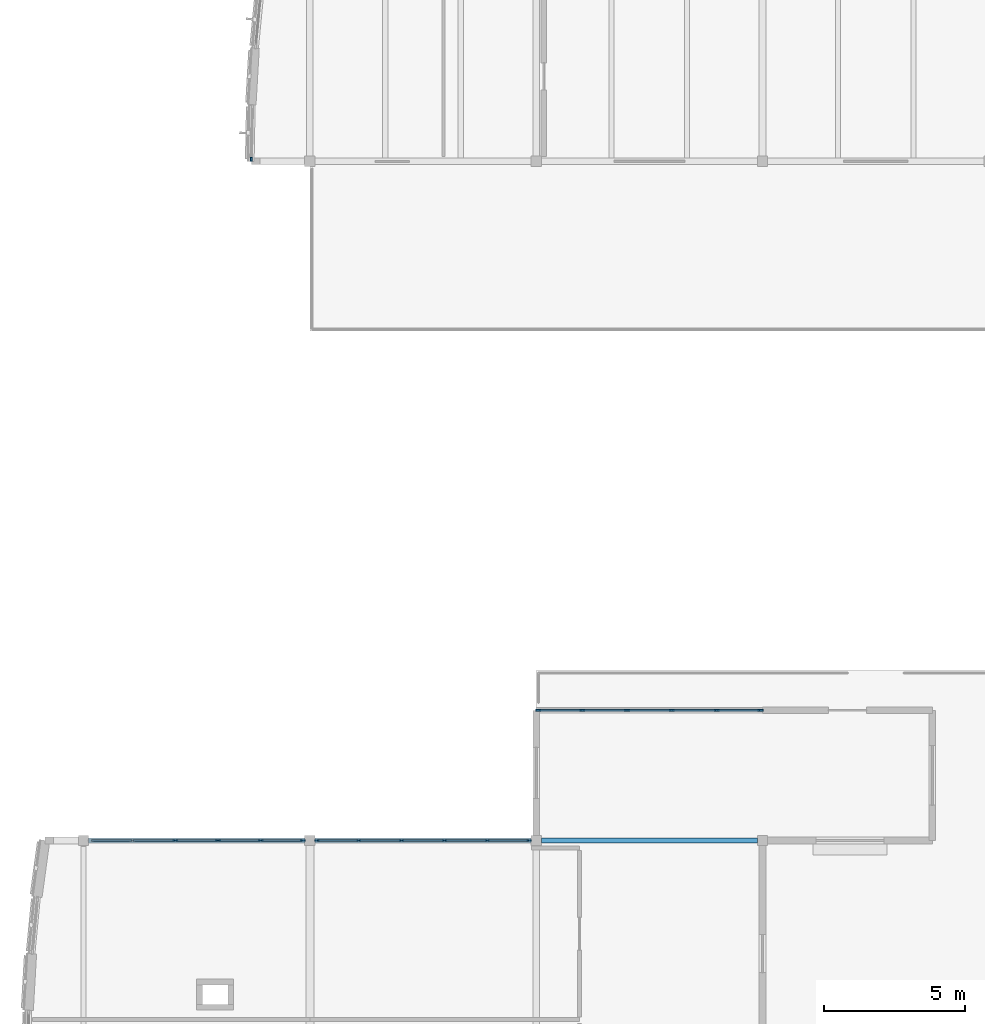
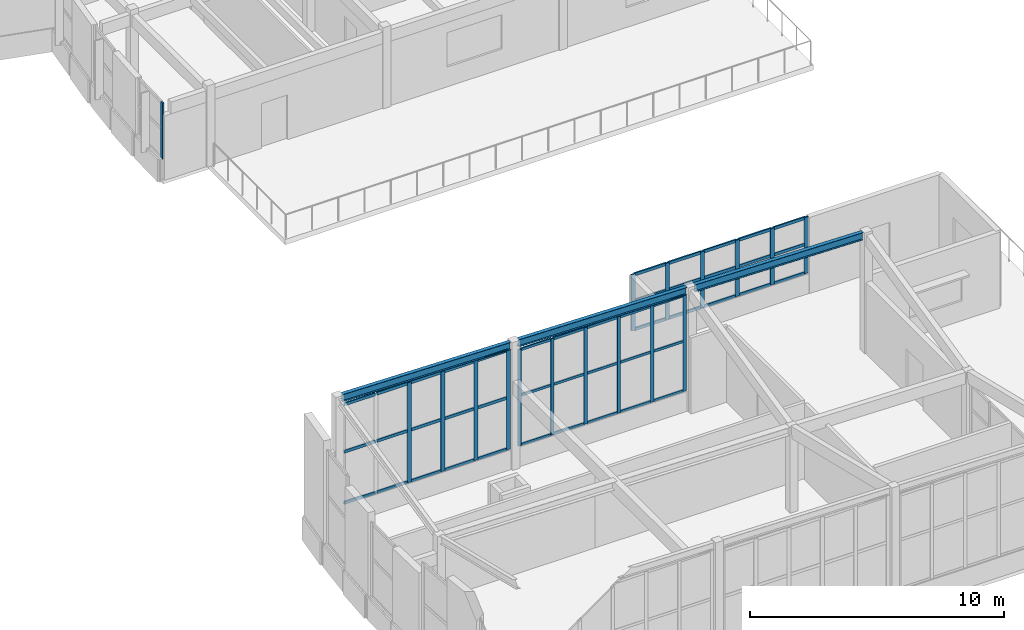
# One storey, part 5 of 63: 62 members, 3 beams, 4 elements without a shape of their own.
"""IFC4 building model written with IfcOpenShell, lengths in metres."""

from ifc_helpers import new_model, si_unit, direction, frame, origin, origin_2d, place, context, subcontext, project, spatial, rectangle, i_section, extrude, material, layer, layer_set, material_profile, profile_set, type_object, element, aggregate, save


model = new_model("IFC4")

# Units and contexts
model_context = context("Model", 3, precision=1e-05, world=origin(), true_north=direction((0.0, 1.0)))
body_context = subcontext(model_context, "Body", "Model", "MODEL_VIEW")
ifc_project = project(units=[si_unit("LENGTHUNIT", "METRE"), si_unit("AREAUNIT", "SQUARE_METRE"), si_unit("VOLUMEUNIT", "CUBIC_METRE"), si_unit("PLANEANGLEUNIT", "RADIAN"), si_unit("MASSUNIT", "GRAM", prefix="KILO")], contexts=[model_context])

# Site, building, storey
site_placement = place(None, origin())
site = spatial("IfcSite", under=ifc_project, at=site_placement, CompositionType="ELEMENT")
building_placement = place(site_placement, origin())
building = spatial("IfcBuilding", under=site, at=building_placement, Name="Tonlespit Floodbar School", CompositionType="ELEMENT")
storey_placement = place(building_placement, frame((0.0, 0.0, 8.39990234375)))
storey = spatial("IfcBuildingStorey", under=building, at=storey_placement, Name="L02", CompositionType="ELEMENT", Elevation=8.39990234375)

# Curtain wall, member
ifc_material_1 = material(Name="Anodised Aluminium", Category="aluminium")
ifc_layer_1 = layer(ifc_material_1, 0.159912109375)
ifc_layer_set_1 = layer_set([ifc_layer_1], Name="Anodised Aluminium")
curtain_wall_type_1 = type_object("IfcCurtainWallType", Name="CurtainWall_1900x2700", PredefinedType="NOTDEFINED", material=ifc_layer_set_1)
curtain_wall_1_placement = place(storey_placement, origin())
curtain_wall_1 = element("IfcCurtainWall", 1, at=curtain_wall_1_placement, inside=storey, type_object=curtain_wall_type_1, Name="L02 unitised curtain wall 0284", PredefinedType="NOTDEFINED")
ifc_material_profile_1 = material_profile(ifc_material_1, rectangle(XDim=0.06494140625, YDim=0.14990234375, at=origin_2d()), Name="ALU M65x150")
ifc_profile_set_1 = profile_set([ifc_material_profile_1], Name="Anodised Aluminium")
member_type_1 = type_object("IfcMemberType", Name="CW_Mullion_65x150", PredefinedType="MULLION", material=ifc_profile_set_1)
member_1_placement = place(storey_placement, frame((9.932373046875, 44.072509765625, 0.9501953125), z_axis=(0.0, 0.0, 1.0), x_axis=(-0.999815370969, 0.019215201653, 0.0)))
member_1 = element("IfcMember", 2, at=member_1_placement, type_object=member_type_1, Name="CW-05 mullion 1", PredefinedType="MULLION", context=body_context, shape_type="SweptSolid", body=[
    extrude(rectangle(XDim=0.06494140625, YDim=0.14990234375, at=origin_2d()), origin(), (0.0, 0.0, 1.0), 2.699951171875),
])
aggregate(curtain_wall_1, [member_1])

# Curtain wall, members
ifc_layer_2 = layer(ifc_material_1, 0.159912109375)
ifc_layer_set_2 = layer_set([ifc_layer_2], Name="Anodised Aluminium")
curtain_wall_type_2 = type_object("IfcCurtainWallType", Name="CurtainWall_7550x4650", PredefinedType="NOTDEFINED", material=ifc_layer_set_2)
curtain_wall_2_placement = place(storey_placement, origin())
curtain_wall_2 = element("IfcCurtainWall", 3, at=curtain_wall_2_placement, inside=storey, type_object=curtain_wall_type_2, Name="L02 unitised curtain wall 0536", PredefinedType="NOTDEFINED")
member_2_placement = place(storey_placement, frame((12.25244140625, 20.0, 0.9501953125), z_axis=(0.0, 0.0, 1.0), x_axis=(0.0, 1.0, 0.0)))
member_2 = element("IfcMember", 4, at=member_2_placement, type_object=member_type_1, Name="CW-92 mullion 1", PredefinedType="MULLION", context=body_context, shape_type="SweptSolid", body=[
    extrude(rectangle(XDim=0.06494140625, YDim=0.14990234375, at=origin_2d()), origin(), (0.0, 0.0, 1.0), 4.626708984375),
])
member_3_placement = place(storey_placement, frame((13.73193359375, 20.0, 0.9501953125), z_axis=(0.0, 0.0, 1.0), x_axis=(0.0, 1.0, 0.0)))
member_3 = element("IfcMember", 5, at=member_3_placement, type_object=member_type_1, Name="CW-92 mullion 2", PredefinedType="MULLION", context=body_context, shape_type="SweptSolid", body=[
    extrude(rectangle(XDim=0.06494140625, YDim=0.14990234375, at=origin_2d()), origin(), (0.0, 0.0, 1.0), 4.626708984375),
])
member_4_placement = place(storey_placement, frame((15.243896484375, 20.0, 0.9501953125), z_axis=(0.0, 0.0, 1.0), x_axis=(0.0, 1.0, 0.0)))
member_4 = element("IfcMember", 6, at=member_4_placement, type_object=member_type_1, Name="CW-92 mullion 3", PredefinedType="MULLION", context=body_context, shape_type="SweptSolid", body=[
    extrude(rectangle(XDim=0.06494140625, YDim=0.14990234375, at=origin_2d()), origin(), (0.0, 0.0, 1.0), 4.626708984375),
])
member_5_placement = place(storey_placement, frame((16.756103515625, 20.0, 0.9501953125), z_axis=(0.0, 0.0, 1.0), x_axis=(0.0, 1.0, 0.0)))
member_5 = element("IfcMember", 7, at=member_5_placement, type_object=member_type_1, Name="CW-92 mullion 4", PredefinedType="MULLION", context=body_context, shape_type="SweptSolid", body=[
    extrude(rectangle(XDim=0.06494140625, YDim=0.14990234375, at=origin_2d()), origin(), (0.0, 0.0, 1.0), 4.626708984375),
])
member_6_placement = place(storey_placement, frame((18.26806640625, 20.0, 0.9501953125), z_axis=(0.0, 0.0, 1.0), x_axis=(0.0, 1.0, 0.0)))
member_6 = element("IfcMember", 8, at=member_6_placement, type_object=member_type_1, Name="CW-92 mullion 5", PredefinedType="MULLION", context=body_context, shape_type="SweptSolid", body=[
    extrude(rectangle(XDim=0.06494140625, YDim=0.14990234375, at=origin_2d()), origin(), (0.0, 0.0, 1.0), 4.626708984375),
])
member_7_placement = place(storey_placement, frame((19.74755859375, 20.0, 0.9501953125), z_axis=(0.0, 0.0, 1.0), x_axis=(0.0, 1.0, 0.0)))
member_7 = element("IfcMember", 9, at=member_7_placement, type_object=member_type_1, Name="CW-92 mullion 6", PredefinedType="MULLION", context=body_context, shape_type="SweptSolid", body=[
    extrude(rectangle(XDim=0.06494140625, YDim=0.14990234375, at=origin_2d()), origin(), (0.0, 0.0, 1.0), 4.626708984375),
])

ifc_layer_3 = layer(ifc_material_1, 0.159912109375)
ifc_layer_set_3 = layer_set([ifc_layer_3], Name="Anodised Aluminium")
curtain_wall_type_3 = type_object("IfcCurtainWallType", Name="CurtainWall_7550x4800", PredefinedType="NOTDEFINED", material=ifc_layer_set_3)
curtain_wall_3_placement = place(storey_placement, origin())
curtain_wall_3 = element("IfcCurtainWall", 10, at=curtain_wall_3_placement, inside=storey, type_object=curtain_wall_type_3, Name="L02 unitised curtain wall 0535", PredefinedType="NOTDEFINED")
ifc_material_profile_2 = material_profile(ifc_material_1, rectangle(XDim=0.06494140625, YDim=0.179931640625, at=origin_2d()), Name="ALU M65x180")
ifc_profile_set_2 = profile_set([ifc_material_profile_2], Name="Anodised Aluminium")
member_type_2 = type_object("IfcMemberType", Name="CW_Mullion_65x180", PredefinedType="MULLION", material=ifc_profile_set_2)
member_8_placement = place(storey_placement, frame((7.243896484375, 20.0, 0.9501953125), z_axis=(0.0, 0.0, 1.0), x_axis=(0.0, 1.0, 0.0)))
member_8 = element("IfcMember", 11, at=member_8_placement, type_object=member_type_2, Name="CW-91 mullion 3", PredefinedType="MULLION", context=body_context, shape_type="SweptSolid", body=[
    extrude(rectangle(XDim=0.06494140625, YDim=0.179931640625, at=origin_2d()), origin(), (0.0, 0.0, 1.0), 4.7939453125),
])
member_9_placement = place(storey_placement, frame((8.756103515625, 20.0, 0.9501953125), z_axis=(0.0, 0.0, 1.0), x_axis=(0.0, 1.0, 0.0)))
member_9 = element("IfcMember", 12, at=member_9_placement, type_object=member_type_2, Name="CW-91 mullion 4", PredefinedType="MULLION", context=body_context, shape_type="SweptSolid", body=[
    extrude(rectangle(XDim=0.06494140625, YDim=0.179931640625, at=origin_2d()), origin(), (0.0, 0.0, 1.0), 4.7939453125),
])
member_10_placement = place(storey_placement, frame((10.26806640625, 20.0, 0.9501953125), z_axis=(0.0, 0.0, 1.0), x_axis=(0.0, 1.0, 0.0)))
member_10 = element("IfcMember", 13, at=member_10_placement, type_object=member_type_2, Name="CW-91 mullion 5", PredefinedType="MULLION", context=body_context, shape_type="SweptSolid", body=[
    extrude(rectangle(XDim=0.06494140625, YDim=0.179931640625, at=origin_2d()), origin(), (0.0, 0.0, 1.0), 4.7939453125),
])
member_11_placement = place(storey_placement, frame((11.74755859375, 20.0, 0.9501953125), z_axis=(0.0, 0.0, 1.0), x_axis=(0.0, 1.0, 0.0)))
member_11 = element("IfcMember", 14, at=member_11_placement, type_object=member_type_2, Name="CW-91 mullion 6", PredefinedType="MULLION", context=body_context, shape_type="SweptSolid", body=[
    extrude(rectangle(XDim=0.06494140625, YDim=0.179931640625, at=origin_2d()), origin(), (0.0, 0.0, 1.0), 4.7939453125),
])

ifc_layer_4 = layer(ifc_material_1, 0.159912109375)
ifc_layer_set_4 = layer_set([ifc_layer_4], Name="Anodised Aluminium")
curtain_wall_type_4 = type_object("IfcCurtainWallType", Name="CurtainWall_7900x2700", PredefinedType="NOTDEFINED", material=ifc_layer_set_4)
curtain_wall_4_placement = place(storey_placement, origin())
curtain_wall_4 = element("IfcCurtainWall", 15, at=curtain_wall_4_placement, inside=storey, type_object=curtain_wall_type_4, Name="L02 unitised curtain wall 0537", PredefinedType="NOTDEFINED")
member_12_placement = place(storey_placement, frame((20.072509765625, 24.60009765625, 0.9501953125), z_axis=(0.0, 0.0, 1.0), x_axis=(0.0, 1.0, 0.0)))
member_12 = element("IfcMember", 16, at=member_12_placement, type_object=member_type_2, Name="CW-35 mullion 1", PredefinedType="MULLION", context=body_context, shape_type="SweptSolid", body=[
    extrude(rectangle(XDim=0.06494140625, YDim=0.179931640625, at=origin_2d()), origin(), (0.0, 0.0, 1.0), 2.699951171875),
])
member_13_placement = place(storey_placement, frame((21.6240234375, 24.60009765625, 0.9501953125), z_axis=(0.0, 0.0, 1.0), x_axis=(0.0, 1.0, 0.0)))
member_13 = element("IfcMember", 17, at=member_13_placement, type_object=member_type_2, Name="CW-35 mullion 2", PredefinedType="MULLION", context=body_context, shape_type="SweptSolid", body=[
    extrude(rectangle(XDim=0.06494140625, YDim=0.179931640625, at=origin_2d()), origin(), (0.0, 0.0, 1.0), 2.699951171875),
])
member_14_placement = place(storey_placement, frame((23.2080078125, 24.60009765625, 0.9501953125), z_axis=(0.0, 0.0, 1.0), x_axis=(0.0, 1.0, 0.0)))
member_14 = element("IfcMember", 18, at=member_14_placement, type_object=member_type_2, Name="CW-35 mullion 3", PredefinedType="MULLION", context=body_context, shape_type="SweptSolid", body=[
    extrude(rectangle(XDim=0.06494140625, YDim=0.179931640625, at=origin_2d()), origin(), (0.0, 0.0, 1.0), 2.699951171875),
])
member_15_placement = place(storey_placement, frame((24.7919921875, 24.60009765625, 0.9501953125), z_axis=(0.0, 0.0, 1.0), x_axis=(0.0, 1.0, 0.0)))
member_15 = element("IfcMember", 19, at=member_15_placement, type_object=member_type_2, Name="CW-35 mullion 4", PredefinedType="MULLION", context=body_context, shape_type="SweptSolid", body=[
    extrude(rectangle(XDim=0.06494140625, YDim=0.179931640625, at=origin_2d()), origin(), (0.0, 0.0, 1.0), 2.699951171875),
])
member_16_placement = place(storey_placement, frame((26.3759765625, 24.60009765625, 0.9501953125), z_axis=(0.0, 0.0, 1.0), x_axis=(0.0, 1.0, 0.0)))
member_16 = element("IfcMember", 20, at=member_16_placement, type_object=member_type_2, Name="CW-35 mullion 5", PredefinedType="MULLION", context=body_context, shape_type="SweptSolid", body=[
    extrude(rectangle(XDim=0.06494140625, YDim=0.179931640625, at=origin_2d()), origin(), (0.0, 0.0, 1.0), 2.699951171875),
])
member_17_placement = place(storey_placement, frame((27.927490234375, 24.60009765625, 0.9501953125), z_axis=(0.0, 0.0, 1.0), x_axis=(0.0, 1.0, 0.0)))
member_17 = element("IfcMember", 21, at=member_17_placement, type_object=member_type_2, Name="CW-35 mullion 6", PredefinedType="MULLION", context=body_context, shape_type="SweptSolid", body=[
    extrude(rectangle(XDim=0.06494140625, YDim=0.179931640625, at=origin_2d()), origin(), (0.0, 0.0, 1.0), 2.699951171875),
])

# Member
ifc_material_profile_3 = material_profile(ifc_material_1, rectangle(XDim=0.06494140625, YDim=0.1201171875, at=origin_2d()), Name="ALU T65x120")
ifc_profile_set_3 = profile_set([ifc_material_profile_3], Name="Anodised Aluminium")
member_type_3 = type_object("IfcMemberType", Name="CW_Transom_65x120", PredefinedType="USERDEFINED", material=ifc_profile_set_3)
member_18_placement = place(storey_placement, frame((12.284912109375, 20.0, 0.982666015625), z_axis=(1.0, 0.0, 0.0), x_axis=(0.0, 1.0, 0.0)))
member_18 = element("IfcMember", 22, at=member_18_placement, type_object=member_type_3, Name="CW-92 transom 1.1", ObjectType="TRANSOM", PredefinedType="USERDEFINED", context=body_context, shape_type="SweptSolid", body=[
    extrude(rectangle(XDim=0.06494140625, YDim=0.1201171875, at=origin_2d()), origin(), (0.0, 0.0, 1.0), 1.41455078125),
])

member_19_placement = place(storey_placement, frame((12.284912109375, 20.0, 3.35595703125), z_axis=(1.0, 0.0, 0.0), x_axis=(0.0, 1.0, 0.0)))
member_19 = element("IfcMember", 23, at=member_19_placement, type_object=member_type_3, Name="CW-92 transom 1.2", ObjectType="TRANSOM", PredefinedType="USERDEFINED", context=body_context, shape_type="SweptSolid", body=[
    extrude(rectangle(XDim=0.06494140625, YDim=0.1201171875, at=origin_2d()), origin(), (0.0, 0.0, 1.0), 1.41455078125),
])

member_20_placement = place(storey_placement, frame((12.284912109375, 20.0, 5.54443359375), z_axis=(1.0, 0.0, 0.0), x_axis=(0.0, 1.0, 0.0)))
member_20 = element("IfcMember", 24, at=member_20_placement, type_object=member_type_3, Name="CW-92 transom 1.3", ObjectType="TRANSOM", PredefinedType="USERDEFINED", context=body_context, shape_type="SweptSolid", body=[
    extrude(rectangle(XDim=0.06494140625, YDim=0.1201171875, at=origin_2d()), origin(), (0.0, 0.0, 1.0), 1.41455078125),
])

member_21_placement = place(storey_placement, frame((13.764404296875, 20.0, 0.982666015625), z_axis=(1.0, 0.0, 0.0), x_axis=(0.0, 1.0, 0.0)))
member_21 = element("IfcMember", 25, at=member_21_placement, type_object=member_type_3, Name="CW-92 transom 2.1", ObjectType="TRANSOM", PredefinedType="USERDEFINED", context=body_context, shape_type="SweptSolid", body=[
    extrude(rectangle(XDim=0.06494140625, YDim=0.1201171875, at=origin_2d()), origin(), (0.0, 0.0, 1.0), 1.447021484375),
])

member_22_placement = place(storey_placement, frame((13.764404296875, 20.0, 3.35595703125), z_axis=(1.0, 0.0, 0.0), x_axis=(0.0, 1.0, 0.0)))
member_22 = element("IfcMember", 26, at=member_22_placement, type_object=member_type_3, Name="CW-92 transom 2.2", ObjectType="TRANSOM", PredefinedType="USERDEFINED", context=body_context, shape_type="SweptSolid", body=[
    extrude(rectangle(XDim=0.06494140625, YDim=0.1201171875, at=origin_2d()), origin(), (0.0, 0.0, 1.0), 1.447021484375),
])

member_23_placement = place(storey_placement, frame((13.764404296875, 20.0, 5.54443359375), z_axis=(1.0, 0.0, 0.0), x_axis=(0.0, 1.0, 0.0)))
member_23 = element("IfcMember", 27, at=member_23_placement, type_object=member_type_3, Name="CW-92 transom 2.3", ObjectType="TRANSOM", PredefinedType="USERDEFINED", context=body_context, shape_type="SweptSolid", body=[
    extrude(rectangle(XDim=0.06494140625, YDim=0.1201171875, at=origin_2d()), origin(), (0.0, 0.0, 1.0), 1.447021484375),
])

member_24_placement = place(storey_placement, frame((15.276611328125, 20.0, 0.982666015625), z_axis=(1.0, 0.0, 0.0), x_axis=(0.0, 1.0, 0.0)))
member_24 = element("IfcMember", 28, at=member_24_placement, type_object=member_type_3, Name="CW-92 transom 3.1", ObjectType="TRANSOM", PredefinedType="USERDEFINED", context=body_context, shape_type="SweptSolid", body=[
    extrude(rectangle(XDim=0.06494140625, YDim=0.1201171875, at=origin_2d()), origin(), (0.0, 0.0, 1.0), 1.44677734375),
])

member_25_placement = place(storey_placement, frame((15.276611328125, 20.0, 3.35595703125), z_axis=(1.0, 0.0, 0.0), x_axis=(0.0, 1.0, 0.0)))
member_25 = element("IfcMember", 29, at=member_25_placement, type_object=member_type_3, Name="CW-92 transom 3.2", ObjectType="TRANSOM", PredefinedType="USERDEFINED", context=body_context, shape_type="SweptSolid", body=[
    extrude(rectangle(XDim=0.06494140625, YDim=0.1201171875, at=origin_2d()), origin(), (0.0, 0.0, 1.0), 1.44677734375),
])

member_26_placement = place(storey_placement, frame((15.276611328125, 20.0, 5.54443359375), z_axis=(1.0, 0.0, 0.0), x_axis=(0.0, 1.0, 0.0)))
member_26 = element("IfcMember", 30, at=member_26_placement, type_object=member_type_3, Name="CW-92 transom 3.3", ObjectType="TRANSOM", PredefinedType="USERDEFINED", context=body_context, shape_type="SweptSolid", body=[
    extrude(rectangle(XDim=0.06494140625, YDim=0.1201171875, at=origin_2d()), origin(), (0.0, 0.0, 1.0), 1.44677734375),
])

member_27_placement = place(storey_placement, frame((16.78857421875, 20.0, 0.982666015625), z_axis=(1.0, 0.0, 0.0), x_axis=(0.0, 1.0, 0.0)))
member_27 = element("IfcMember", 31, at=member_27_placement, type_object=member_type_3, Name="CW-92 transom 4.1", ObjectType="TRANSOM", PredefinedType="USERDEFINED", context=body_context, shape_type="SweptSolid", body=[
    extrude(rectangle(XDim=0.06494140625, YDim=0.1201171875, at=origin_2d()), origin(), (0.0, 0.0, 1.0), 1.447021484375),
])

member_28_placement = place(storey_placement, frame((16.78857421875, 20.0, 3.35595703125), z_axis=(1.0, 0.0, 0.0), x_axis=(0.0, 1.0, 0.0)))
member_28 = element("IfcMember", 32, at=member_28_placement, type_object=member_type_3, Name="CW-92 transom 4.2", ObjectType="TRANSOM", PredefinedType="USERDEFINED", context=body_context, shape_type="SweptSolid", body=[
    extrude(rectangle(XDim=0.06494140625, YDim=0.1201171875, at=origin_2d()), origin(), (0.0, 0.0, 1.0), 1.447021484375),
])

member_29_placement = place(storey_placement, frame((16.78857421875, 20.0, 5.54443359375), z_axis=(1.0, 0.0, 0.0), x_axis=(0.0, 1.0, 0.0)))
member_29 = element("IfcMember", 33, at=member_29_placement, type_object=member_type_3, Name="CW-92 transom 4.3", ObjectType="TRANSOM", PredefinedType="USERDEFINED", context=body_context, shape_type="SweptSolid", body=[
    extrude(rectangle(XDim=0.06494140625, YDim=0.1201171875, at=origin_2d()), origin(), (0.0, 0.0, 1.0), 1.447021484375),
])

member_30_placement = place(storey_placement, frame((18.300537109375, 20.0, 0.982666015625), z_axis=(1.0, 0.0, 0.0), x_axis=(0.0, 1.0, 0.0)))
member_30 = element("IfcMember", 34, at=member_30_placement, type_object=member_type_3, Name="CW-92 transom 5.1", ObjectType="TRANSOM", PredefinedType="USERDEFINED", context=body_context, shape_type="SweptSolid", body=[
    extrude(rectangle(XDim=0.06494140625, YDim=0.1201171875, at=origin_2d()), origin(), (0.0, 0.0, 1.0), 1.41455078125),
])

member_31_placement = place(storey_placement, frame((18.300537109375, 20.0, 3.35595703125), z_axis=(1.0, 0.0, 0.0), x_axis=(0.0, 1.0, 0.0)))
member_31 = element("IfcMember", 35, at=member_31_placement, type_object=member_type_3, Name="CW-92 transom 5.2", ObjectType="TRANSOM", PredefinedType="USERDEFINED", context=body_context, shape_type="SweptSolid", body=[
    extrude(rectangle(XDim=0.06494140625, YDim=0.1201171875, at=origin_2d()), origin(), (0.0, 0.0, 1.0), 1.41455078125),
])

member_32_placement = place(storey_placement, frame((18.300537109375, 20.0, 5.54443359375), z_axis=(1.0, 0.0, 0.0), x_axis=(0.0, 1.0, 0.0)))
member_32 = element("IfcMember", 36, at=member_32_placement, type_object=member_type_3, Name="CW-92 transom 5.3", ObjectType="TRANSOM", PredefinedType="USERDEFINED", context=body_context, shape_type="SweptSolid", body=[
    extrude(rectangle(XDim=0.06494140625, YDim=0.1201171875, at=origin_2d()), origin(), (0.0, 0.0, 1.0), 1.41455078125),
])

aggregate(curtain_wall_2, [member_2, member_3, member_4, member_5, member_6, member_7, member_18, member_19, member_20, member_21, member_22, member_23, member_24, member_25, member_26, member_27, member_28, member_29, member_30, member_31, member_32])

ifc_material_profile_4 = material_profile(ifc_material_1, rectangle(XDim=0.06494140625, YDim=0.139892578125, at=origin_2d()), Name="ALU T65x140")
ifc_profile_set_4 = profile_set([ifc_material_profile_4], Name="Anodised Aluminium")
member_type_4 = type_object("IfcMemberType", Name="CW_Transom_65x140", PredefinedType="USERDEFINED", material=ifc_profile_set_4)
member_33_placement = place(storey_placement, frame((4.284912109375, 20.0, 0.982666015625), z_axis=(1.0, 0.0, 0.0), x_axis=(0.0, 1.0, 0.0)))
member_33 = element("IfcMember", 37, at=member_33_placement, type_object=member_type_4, Name="CW-91 transom 1.1", ObjectType="TRANSOM", PredefinedType="USERDEFINED", context=body_context, shape_type="SweptSolid", body=[
    extrude(rectangle(XDim=0.06494140625, YDim=0.139892578125, at=origin_2d()), origin(), (0.0, 0.0, 1.0), 1.41455078125),
])

member_34_placement = place(storey_placement, frame((4.284912109375, 20.0, 3.443115234375), z_axis=(1.0, 0.0, 0.0), x_axis=(0.0, 1.0, 0.0)))
member_34 = element("IfcMember", 38, at=member_34_placement, type_object=member_type_4, Name="CW-91 transom 1.2", ObjectType="TRANSOM", PredefinedType="USERDEFINED", context=body_context, shape_type="SweptSolid", body=[
    extrude(rectangle(XDim=0.06494140625, YDim=0.139892578125, at=origin_2d()), origin(), (0.0, 0.0, 1.0), 1.41455078125),
])

member_35_placement = place(storey_placement, frame((4.284912109375, 20.0, 5.711669921875), z_axis=(1.0, 0.0, 0.0), x_axis=(0.0, 1.0, 0.0)))
member_35 = element("IfcMember", 39, at=member_35_placement, type_object=member_type_4, Name="CW-91 transom 1.3", ObjectType="TRANSOM", PredefinedType="USERDEFINED", context=body_context, shape_type="SweptSolid", body=[
    extrude(rectangle(XDim=0.06494140625, YDim=0.139892578125, at=origin_2d()), origin(), (0.0, 0.0, 1.0), 1.41455078125),
])

member_36_placement = place(storey_placement, frame((5.764404296875, 20.0, 0.982666015625), z_axis=(1.0, 0.0, 0.0), x_axis=(0.0, 1.0, 0.0)))
member_36 = element("IfcMember", 40, at=member_36_placement, type_object=member_type_4, Name="CW-91 transom 2.1", ObjectType="TRANSOM", PredefinedType="USERDEFINED", context=body_context, shape_type="SweptSolid", body=[
    extrude(rectangle(XDim=0.06494140625, YDim=0.139892578125, at=origin_2d()), origin(), (0.0, 0.0, 1.0), 1.447021484375),
])

member_37_placement = place(storey_placement, frame((5.764404296875, 20.0, 3.443115234375), z_axis=(1.0, 0.0, 0.0), x_axis=(0.0, 1.0, 0.0)))
member_37 = element("IfcMember", 41, at=member_37_placement, type_object=member_type_4, Name="CW-91 transom 2.2", ObjectType="TRANSOM", PredefinedType="USERDEFINED", context=body_context, shape_type="SweptSolid", body=[
    extrude(rectangle(XDim=0.06494140625, YDim=0.139892578125, at=origin_2d()), origin(), (0.0, 0.0, 1.0), 1.447021484375),
])

member_38_placement = place(storey_placement, frame((5.764404296875, 20.0, 5.711669921875), z_axis=(1.0, 0.0, 0.0), x_axis=(0.0, 1.0, 0.0)))
member_38 = element("IfcMember", 42, at=member_38_placement, type_object=member_type_4, Name="CW-91 transom 2.3", ObjectType="TRANSOM", PredefinedType="USERDEFINED", context=body_context, shape_type="SweptSolid", body=[
    extrude(rectangle(XDim=0.06494140625, YDim=0.139892578125, at=origin_2d()), origin(), (0.0, 0.0, 1.0), 1.447021484375),
])

member_39_placement = place(storey_placement, frame((7.276611328125, 20.0, 0.982666015625), z_axis=(1.0, 0.0, 0.0), x_axis=(0.0, 1.0, 0.0)))
member_39 = element("IfcMember", 43, at=member_39_placement, type_object=member_type_4, Name="CW-91 transom 3.1", ObjectType="TRANSOM", PredefinedType="USERDEFINED", context=body_context, shape_type="SweptSolid", body=[
    extrude(rectangle(XDim=0.06494140625, YDim=0.139892578125, at=origin_2d()), origin(), (0.0, 0.0, 1.0), 1.44677734375),
])

member_40_placement = place(storey_placement, frame((7.276611328125, 20.0, 3.443115234375), z_axis=(1.0, 0.0, 0.0), x_axis=(0.0, 1.0, 0.0)))
member_40 = element("IfcMember", 44, at=member_40_placement, type_object=member_type_4, Name="CW-91 transom 3.2", ObjectType="TRANSOM", PredefinedType="USERDEFINED", context=body_context, shape_type="SweptSolid", body=[
    extrude(rectangle(XDim=0.06494140625, YDim=0.139892578125, at=origin_2d()), origin(), (0.0, 0.0, 1.0), 1.44677734375),
])

member_41_placement = place(storey_placement, frame((7.276611328125, 20.0, 5.711669921875), z_axis=(1.0, 0.0, 0.0), x_axis=(0.0, 1.0, 0.0)))
member_41 = element("IfcMember", 45, at=member_41_placement, type_object=member_type_4, Name="CW-91 transom 3.3", ObjectType="TRANSOM", PredefinedType="USERDEFINED", context=body_context, shape_type="SweptSolid", body=[
    extrude(rectangle(XDim=0.06494140625, YDim=0.139892578125, at=origin_2d()), origin(), (0.0, 0.0, 1.0), 1.44677734375),
])

member_42_placement = place(storey_placement, frame((8.78857421875, 20.0, 0.982666015625), z_axis=(1.0, 0.0, 0.0), x_axis=(0.0, 1.0, 0.0)))
member_42 = element("IfcMember", 46, at=member_42_placement, type_object=member_type_4, Name="CW-91 transom 4.1", ObjectType="TRANSOM", PredefinedType="USERDEFINED", context=body_context, shape_type="SweptSolid", body=[
    extrude(rectangle(XDim=0.06494140625, YDim=0.139892578125, at=origin_2d()), origin(), (0.0, 0.0, 1.0), 1.447021484375),
])

member_43_placement = place(storey_placement, frame((8.78857421875, 20.0, 3.443115234375), z_axis=(1.0, 0.0, 0.0), x_axis=(0.0, 1.0, 0.0)))
member_43 = element("IfcMember", 47, at=member_43_placement, type_object=member_type_4, Name="CW-91 transom 4.2", ObjectType="TRANSOM", PredefinedType="USERDEFINED", context=body_context, shape_type="SweptSolid", body=[
    extrude(rectangle(XDim=0.06494140625, YDim=0.139892578125, at=origin_2d()), origin(), (0.0, 0.0, 1.0), 1.447021484375),
])

member_44_placement = place(storey_placement, frame((8.78857421875, 20.0, 5.711669921875), z_axis=(1.0, 0.0, 0.0), x_axis=(0.0, 1.0, 0.0)))
member_44 = element("IfcMember", 48, at=member_44_placement, type_object=member_type_4, Name="CW-91 transom 4.3", ObjectType="TRANSOM", PredefinedType="USERDEFINED", context=body_context, shape_type="SweptSolid", body=[
    extrude(rectangle(XDim=0.06494140625, YDim=0.139892578125, at=origin_2d()), origin(), (0.0, 0.0, 1.0), 1.447021484375),
])

member_45_placement = place(storey_placement, frame((10.300537109375, 20.0, 0.982666015625), z_axis=(1.0, 0.0, 0.0), x_axis=(0.0, 1.0, 0.0)))
member_45 = element("IfcMember", 49, at=member_45_placement, type_object=member_type_4, Name="CW-91 transom 5.1", ObjectType="TRANSOM", PredefinedType="USERDEFINED", context=body_context, shape_type="SweptSolid", body=[
    extrude(rectangle(XDim=0.06494140625, YDim=0.139892578125, at=origin_2d()), origin(), (0.0, 0.0, 1.0), 1.41455078125),
])

member_46_placement = place(storey_placement, frame((10.300537109375, 20.0, 3.443115234375), z_axis=(1.0, 0.0, 0.0), x_axis=(0.0, 1.0, 0.0)))
member_46 = element("IfcMember", 50, at=member_46_placement, type_object=member_type_4, Name="CW-91 transom 5.2", ObjectType="TRANSOM", PredefinedType="USERDEFINED", context=body_context, shape_type="SweptSolid", body=[
    extrude(rectangle(XDim=0.06494140625, YDim=0.139892578125, at=origin_2d()), origin(), (0.0, 0.0, 1.0), 1.41455078125),
])

member_47_placement = place(storey_placement, frame((10.300537109375, 20.0, 5.711669921875), z_axis=(1.0, 0.0, 0.0), x_axis=(0.0, 1.0, 0.0)))
member_47 = element("IfcMember", 51, at=member_47_placement, type_object=member_type_4, Name="CW-91 transom 5.3", ObjectType="TRANSOM", PredefinedType="USERDEFINED", context=body_context, shape_type="SweptSolid", body=[
    extrude(rectangle(XDim=0.06494140625, YDim=0.139892578125, at=origin_2d()), origin(), (0.0, 0.0, 1.0), 1.41455078125),
])

aggregate(curtain_wall_3, [member_8, member_9, member_10, member_11, member_33, member_34, member_35, member_36, member_37, member_38, member_39, member_40, member_41, member_42, member_43, member_44, member_45, member_46, member_47])

member_48_placement = place(storey_placement, frame((20.10498046875, 24.60009765625, 0.982666015625), z_axis=(1.0, 0.0, 0.0), x_axis=(0.0, 1.0, 0.0)))
member_48 = element("IfcMember", 52, at=member_48_placement, type_object=member_type_4, Name="CW-35 transom 1.1", ObjectType="TRANSOM", PredefinedType="USERDEFINED", context=body_context, shape_type="SweptSolid", body=[
    extrude(rectangle(XDim=0.06494140625, YDim=0.139892578125, at=origin_2d()), origin(), (0.0, 0.0, 1.0), 1.486572265625),
])

member_49_placement = place(storey_placement, frame((20.10498046875, 24.60009765625, 2.35400390625), z_axis=(1.0, 0.0, 0.0), x_axis=(0.0, 1.0, 0.0)))
member_49 = element("IfcMember", 53, at=member_49_placement, type_object=member_type_4, Name="CW-35 transom 1.2", ObjectType="TRANSOM", PredefinedType="USERDEFINED", context=body_context, shape_type="SweptSolid", body=[
    extrude(rectangle(XDim=0.06494140625, YDim=0.139892578125, at=origin_2d()), origin(), (0.0, 0.0, 1.0), 1.486572265625),
])

member_50_placement = place(storey_placement, frame((20.10498046875, 24.60009765625, 3.61767578125), z_axis=(1.0, 0.0, 0.0), x_axis=(0.0, 1.0, 0.0)))
member_50 = element("IfcMember", 54, at=member_50_placement, type_object=member_type_4, Name="CW-35 transom 1.3", ObjectType="TRANSOM", PredefinedType="USERDEFINED", context=body_context, shape_type="SweptSolid", body=[
    extrude(rectangle(XDim=0.06494140625, YDim=0.139892578125, at=origin_2d()), origin(), (0.0, 0.0, 1.0), 1.486572265625),
])

member_51_placement = place(storey_placement, frame((21.656494140625, 24.60009765625, 0.982666015625), z_axis=(1.0, 0.0, 0.0), x_axis=(0.0, 1.0, 0.0)))
member_51 = element("IfcMember", 55, at=member_51_placement, type_object=member_type_4, Name="CW-35 transom 2.1", ObjectType="TRANSOM", PredefinedType="USERDEFINED", context=body_context, shape_type="SweptSolid", body=[
    extrude(rectangle(XDim=0.06494140625, YDim=0.139892578125, at=origin_2d()), origin(), (0.0, 0.0, 1.0), 1.51904296875),
])

member_52_placement = place(storey_placement, frame((21.656494140625, 24.60009765625, 2.35400390625), z_axis=(1.0, 0.0, 0.0), x_axis=(0.0, 1.0, 0.0)))
member_52 = element("IfcMember", 56, at=member_52_placement, type_object=member_type_4, Name="CW-35 transom 2.2", ObjectType="TRANSOM", PredefinedType="USERDEFINED", context=body_context, shape_type="SweptSolid", body=[
    extrude(rectangle(XDim=0.06494140625, YDim=0.139892578125, at=origin_2d()), origin(), (0.0, 0.0, 1.0), 1.51904296875),
])

member_53_placement = place(storey_placement, frame((21.656494140625, 24.60009765625, 3.61767578125), z_axis=(1.0, 0.0, 0.0), x_axis=(0.0, 1.0, 0.0)))
member_53 = element("IfcMember", 57, at=member_53_placement, type_object=member_type_4, Name="CW-35 transom 2.3", ObjectType="TRANSOM", PredefinedType="USERDEFINED", context=body_context, shape_type="SweptSolid", body=[
    extrude(rectangle(XDim=0.06494140625, YDim=0.139892578125, at=origin_2d()), origin(), (0.0, 0.0, 1.0), 1.51904296875),
])

member_54_placement = place(storey_placement, frame((23.240478515625, 24.60009765625, 0.982666015625), z_axis=(1.0, 0.0, 0.0), x_axis=(0.0, 1.0, 0.0)))
member_54 = element("IfcMember", 58, at=member_54_placement, type_object=member_type_4, Name="CW-35 transom 3.1", ObjectType="TRANSOM", PredefinedType="USERDEFINED", context=body_context, shape_type="SweptSolid", body=[
    extrude(rectangle(XDim=0.06494140625, YDim=0.139892578125, at=origin_2d()), origin(), (0.0, 0.0, 1.0), 1.51904296875),
])

member_55_placement = place(storey_placement, frame((23.240478515625, 24.60009765625, 2.35400390625), z_axis=(1.0, 0.0, 0.0), x_axis=(0.0, 1.0, 0.0)))
member_55 = element("IfcMember", 59, at=member_55_placement, type_object=member_type_4, Name="CW-35 transom 3.2", ObjectType="TRANSOM", PredefinedType="USERDEFINED", context=body_context, shape_type="SweptSolid", body=[
    extrude(rectangle(XDim=0.06494140625, YDim=0.139892578125, at=origin_2d()), origin(), (0.0, 0.0, 1.0), 1.51904296875),
])

member_56_placement = place(storey_placement, frame((23.240478515625, 24.60009765625, 3.61767578125), z_axis=(1.0, 0.0, 0.0), x_axis=(0.0, 1.0, 0.0)))
member_56 = element("IfcMember", 60, at=member_56_placement, type_object=member_type_4, Name="CW-35 transom 3.3", ObjectType="TRANSOM", PredefinedType="USERDEFINED", context=body_context, shape_type="SweptSolid", body=[
    extrude(rectangle(XDim=0.06494140625, YDim=0.139892578125, at=origin_2d()), origin(), (0.0, 0.0, 1.0), 1.51904296875),
])

member_57_placement = place(storey_placement, frame((24.824462890625, 24.60009765625, 0.982666015625), z_axis=(1.0, 0.0, 0.0), x_axis=(0.0, 1.0, 0.0)))
member_57 = element("IfcMember", 61, at=member_57_placement, type_object=member_type_4, Name="CW-35 transom 4.1", ObjectType="TRANSOM", PredefinedType="USERDEFINED", context=body_context, shape_type="SweptSolid", body=[
    extrude(rectangle(XDim=0.06494140625, YDim=0.139892578125, at=origin_2d()), origin(), (0.0, 0.0, 1.0), 1.51904296875),
])

member_58_placement = place(storey_placement, frame((24.824462890625, 24.60009765625, 2.35400390625), z_axis=(1.0, 0.0, 0.0), x_axis=(0.0, 1.0, 0.0)))
member_58 = element("IfcMember", 62, at=member_58_placement, type_object=member_type_4, Name="CW-35 transom 4.2", ObjectType="TRANSOM", PredefinedType="USERDEFINED", context=body_context, shape_type="SweptSolid", body=[
    extrude(rectangle(XDim=0.06494140625, YDim=0.139892578125, at=origin_2d()), origin(), (0.0, 0.0, 1.0), 1.51904296875),
])

member_59_placement = place(storey_placement, frame((24.824462890625, 24.60009765625, 3.61767578125), z_axis=(1.0, 0.0, 0.0), x_axis=(0.0, 1.0, 0.0)))
member_59 = element("IfcMember", 63, at=member_59_placement, type_object=member_type_4, Name="CW-35 transom 4.3", ObjectType="TRANSOM", PredefinedType="USERDEFINED", context=body_context, shape_type="SweptSolid", body=[
    extrude(rectangle(XDim=0.06494140625, YDim=0.139892578125, at=origin_2d()), origin(), (0.0, 0.0, 1.0), 1.51904296875),
])

member_60_placement = place(storey_placement, frame((26.408447265625, 24.60009765625, 0.982666015625), z_axis=(1.0, 0.0, 0.0), x_axis=(0.0, 1.0, 0.0)))
member_60 = element("IfcMember", 64, at=member_60_placement, type_object=member_type_4, Name="CW-35 transom 5.1", ObjectType="TRANSOM", PredefinedType="USERDEFINED", context=body_context, shape_type="SweptSolid", body=[
    extrude(rectangle(XDim=0.06494140625, YDim=0.139892578125, at=origin_2d()), origin(), (0.0, 0.0, 1.0), 1.486572265625),
])

member_61_placement = place(storey_placement, frame((26.408447265625, 24.60009765625, 2.35400390625), z_axis=(1.0, 0.0, 0.0), x_axis=(0.0, 1.0, 0.0)))
member_61 = element("IfcMember", 65, at=member_61_placement, type_object=member_type_4, Name="CW-35 transom 5.2", ObjectType="TRANSOM", PredefinedType="USERDEFINED", context=body_context, shape_type="SweptSolid", body=[
    extrude(rectangle(XDim=0.06494140625, YDim=0.139892578125, at=origin_2d()), origin(), (0.0, 0.0, 1.0), 1.486572265625),
])

member_62_placement = place(storey_placement, frame((26.408447265625, 24.60009765625, 3.61767578125), z_axis=(1.0, 0.0, 0.0), x_axis=(0.0, 1.0, 0.0)))
member_62 = element("IfcMember", 66, at=member_62_placement, type_object=member_type_4, Name="CW-35 transom 5.3", ObjectType="TRANSOM", PredefinedType="USERDEFINED", context=body_context, shape_type="SweptSolid", body=[
    extrude(rectangle(XDim=0.06494140625, YDim=0.139892578125, at=origin_2d()), origin(), (0.0, 0.0, 1.0), 1.486572265625),
])

aggregate(curtain_wall_4, [member_12, member_13, member_14, member_15, member_16, member_17, member_48, member_49, member_50, member_51, member_52, member_53, member_54, member_55, member_56, member_57, member_58, member_59, member_60, member_61, member_62])

# Beams
ifc_material_2 = material(Name="Steel S355", Category="steel")
ifc_material_profile_5 = material_profile(ifc_material_2, i_section(OverallWidth=0.169921875, OverallDepth=0.360107421875, WebThickness=0.008056640625, FlangeThickness=0.0126953125, at=origin_2d()), Name="IPE 360")
ifc_profile_set_5 = profile_set([ifc_material_profile_5], Name="Steel S355")
beam_type = type_object("IfcBeamType", Name="Spandrel_STL_IPE360", PredefinedType="SPANDREL", material=ifc_profile_set_5)
for number, where, z_axis, x_axis, name in (
    (67, (4.179931640625, 20.0, 6.083984375), (0.999781696291, 0.0, -0.02089401257), (0.0, 1.0, 0.0), "L02 girder 0923"),
    (68, (12.179931640625, 20.0, 5.916748046875), (0.999781028405, 0.0, -0.020925946623), (0.0, 1.0, 0.0), "L02 girder 0924"),
    (69, (20.179931640625, 20.0, 5.74951171875), (0.999781028405, 0.0, -0.020925946623), (0.0, 1.0, 0.0), "L02 girder 0925"),
):
    element("IfcBeam", number, at=place(storey_placement, frame(where, z_axis=z_axis, x_axis=x_axis)), inside=storey, type_object=beam_type, Name=name, PredefinedType="SPANDREL", context=body_context, shape_type="SweptSolid", body=[
        extrude(i_section(OverallWidth=0.169921875, OverallDepth=0.360107421875, WebThickness=0.008056640625, FlangeThickness=0.0126953125, at=origin_2d()), origin(), (0.0, 0.0, 1.0), 7.641845703125),
    ])

save(model, "model.ifc")
